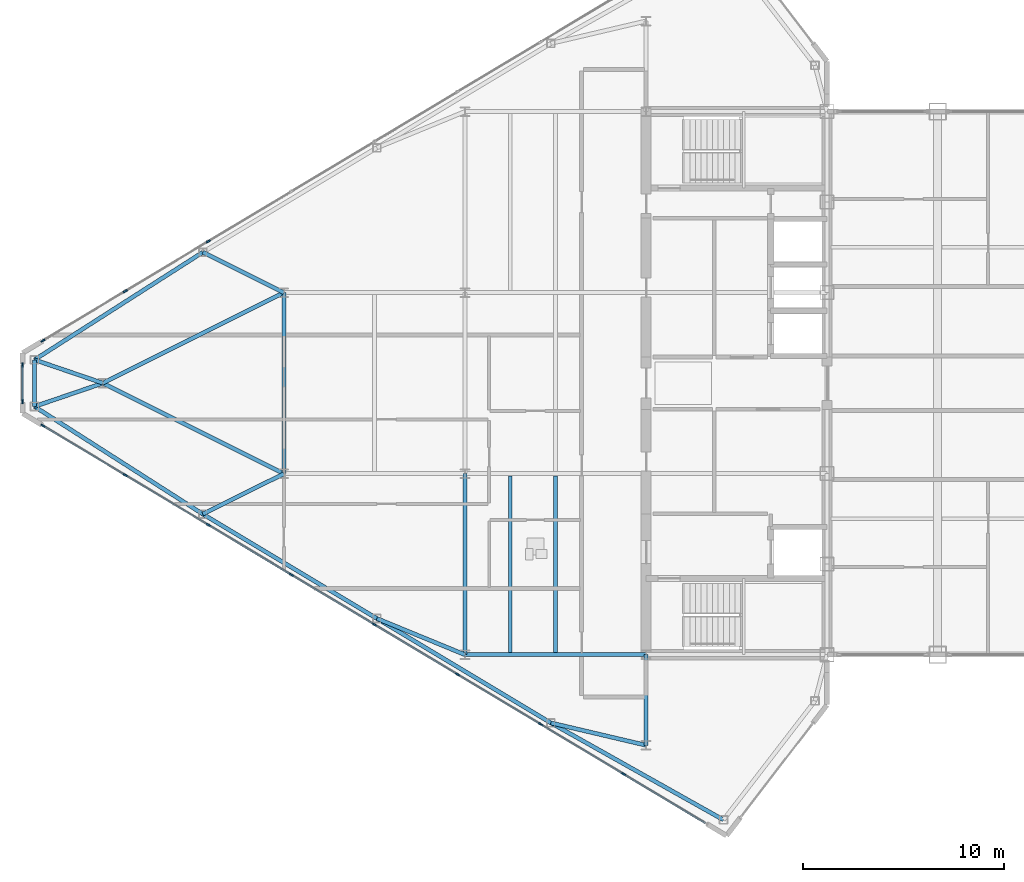
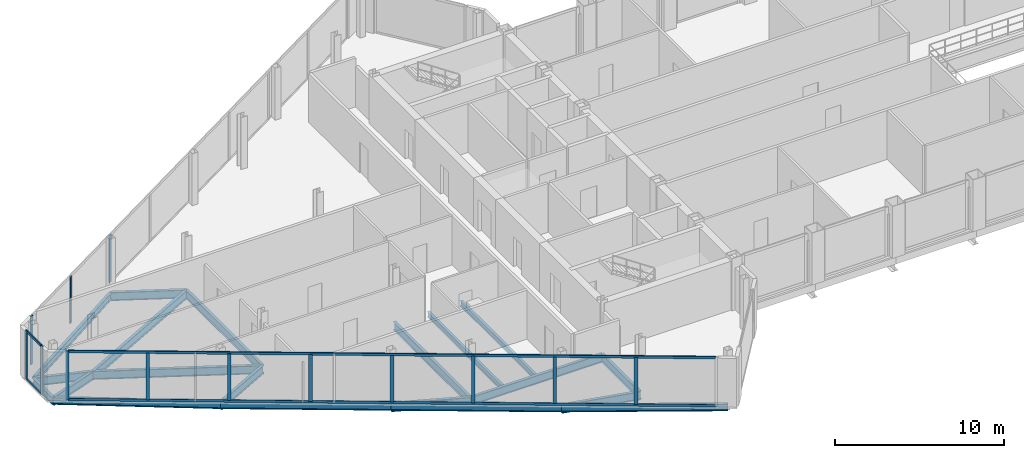
# One storey, part 8 of 29: 20 beams, 17 members, 3 elements without a shape of their own.
"""IFC4 building model written with IfcOpenShell, lengths in metres."""

from ifc_helpers import new_model, si_unit, direction, frame, origin, origin_2d, place, context, subcontext, project, spatial, rectangle, i_section, extrude, source, transform, mapped, material, layer, layer_set, material_profile, profile_set, type_object, type_shapes, element, aggregate, save


model = new_model("IFC4")

# Units and contexts
model_context = context("Model", 3, precision=1e-05, world=origin(), true_north=direction((0.0, 1.0)))
body_context = subcontext(model_context, "Body", "Model", "MODEL_VIEW")
ifc_project = project(units=[si_unit("LENGTHUNIT", "METRE"), si_unit("AREAUNIT", "SQUARE_METRE"), si_unit("VOLUMEUNIT", "CUBIC_METRE"), si_unit("PLANEANGLEUNIT", "RADIAN"), si_unit("MASSUNIT", "GRAM", prefix="KILO")], contexts=[model_context])

# Site, building, storey
site_placement = place(None, origin())
site = spatial("IfcSite", under=ifc_project, at=site_placement, CompositionType="ELEMENT")
building_placement = place(site_placement, origin())
building = spatial("IfcBuilding", under=site, at=building_placement, Name="Seokmaru Belvedere", CompositionType="ELEMENT")
storey_placement = place(building_placement, frame((0.0, 0.0, 250.64990234375)))
storey = spatial("IfcBuildingStorey", under=building, at=storey_placement, Name="L66", CompositionType="ELEMENT", Elevation=250.64990234375)

# Beams
ifc_material_1 = material(Name="Steel SM355 (355 MPa)", Category="steel")
ifc_material_profile_1 = material_profile(ifc_material_1, i_section(OverallWidth=0.199951171875, OverallDepth=0.60009765625, WebThickness=0.010986328125, FlangeThickness=0.01708984375, at=origin_2d()), Name="H-600x200x11x17")
ifc_profile_set_1 = profile_set([ifc_material_profile_1], Name="Steel SM355 (355 MPa)")
beam_type_1 = type_object("IfcBeamType", Name="Primary Floor Girder H-600", PredefinedType="BEAM", material=ifc_profile_set_1)
shared_shape_1 = source(origin(), body_context, "Body", "SweptSolid", [
    extrude(i_section(OverallWidth=0.199951171875, OverallDepth=0.60009765625, WebThickness=0.010986328125, FlangeThickness=0.01708984375, at=origin_2d()), origin(), (0.0, 0.0, 1.0), 9.0),
])
for number, where, z_axis, x_axis, name in (
    (1, (-45.5, -13.5, -0.52001953125), (0.0, 1.0, 0.0), (-1.0, 0.0, 0.0), "L66 W Interior Grid Girder 1"),
    (2, (-45.5, -13.5, -0.52001953125), (1.0, 0.0, 0.0), (0.0, 1.0, 0.0), "L66 W Wing Primary Girder 1"),
    (3, (-54.5, -4.5, -0.52001953125), (0.0, 1.0, 0.0), (-1.0, 0.0, 0.0), "L66 W Apex Frame Girder"),
):
    element("IfcBeam", number, at=place(storey_placement, frame(where, z_axis=z_axis, x_axis=x_axis)), inside=storey, type_object=beam_type_1, Name=name, PredefinedType="BEAM", context=body_context, shape_type="MappedRepresentation", body=[
        mapped(shared_shape_1, transform((0.0, 0.0, 0.0), scale=1.0)),
    ])
shared_shape_2 = source(origin(), body_context, "Body", "SweptSolid", [
    extrude(i_section(OverallWidth=0.199951171875, OverallDepth=0.60009765625, WebThickness=0.010986328125, FlangeThickness=0.01708984375, at=origin_2d()), origin(), (0.0, 0.0, 1.0), 10.062255859375),
])
for number, where, z_axis, x_axis, name in (
    (4, (-54.5, -4.5, -0.52001953125), (-0.894427191, 0.4472135955, 0.0), (-0.4472135955, -0.894427191, 0.0), "L66 W Apex Converging Girder 1"),
    (5, (-54.5, 4.5, -0.52001953125), (-0.894427191, -0.4472135955, 0.0), (0.4472135955, -0.894427191, 0.0), "L66 W Apex Converging Girder 2"),
):
    element("IfcBeam", number, at=place(storey_placement, frame(where, z_axis=z_axis, x_axis=x_axis)), inside=storey, type_object=beam_type_1, Name=name, PredefinedType="BEAM", context=body_context, shape_type="MappedRepresentation", body=[
        mapped(shared_shape_2, transform((0.0, 0.0, 0.0), scale=1.0)),
    ])
ifc_material_profile_2 = material_profile(ifc_material_1, i_section(OverallWidth=0.18505859375, OverallDepth=0.389892578125, WebThickness=0.008056640625, FlangeThickness=0.011962890625, at=origin_2d()), Name="H-390x185x8x12")
ifc_profile_set_2 = profile_set([ifc_material_profile_2], Name="Steel SM355 (355 MPa)")
beam_type_2 = type_object("IfcBeamType", Name="Secondary Floor Joist H-350", PredefinedType="JOIST", material=ifc_profile_set_2)
shared_shape_3 = source(origin(), body_context, "Body", "SweptSolid", [
    extrude(i_section(OverallWidth=0.18505859375, OverallDepth=0.389892578125, WebThickness=0.008056640625, FlangeThickness=0.011962890625, at=origin_2d()), origin(), (0.0, 0.0, 1.0), 8.7900390625),
])
type_shapes(beam_type_2, [shared_shape_3])
for number, where, z_axis, x_axis, name in (
    (6, (-43.25, -13.39501953125, -0.414794921875), (0.0, 1.0, 0.0), (-1.0, 0.0, 0.0), "L66 W Wing Inner Secondary Joist 1"),
    (7, (-41.0, -13.39501953125, -0.414794921875), (0.0, 1.0, 0.0), (-1.0, 0.0, 0.0), "L66 W Secondary Floor Joist 1"),
):
    element("IfcBeam", number, at=place(storey_placement, frame(where, z_axis=z_axis, x_axis=x_axis)), inside=storey, type_object=beam_type_2, Name=name, PredefinedType="JOIST", context=body_context, shape_type="MappedRepresentation", body=[
        mapped(shared_shape_3, transform((0.0, 0.0, 0.0), scale=1.0)),
    ])
shared_shape_4 = source(origin(), body_context, "Body", "SweptSolid", [
    extrude(i_section(OverallWidth=0.199951171875, OverallDepth=0.60009765625, WebThickness=0.010986328125, FlangeThickness=0.01708984375, at=origin_2d()), origin(), (0.0, 0.0, 1.0), 4.5),
])
beam_1_placement = place(storey_placement, frame((-36.5, -18.0, -0.52001953125), z_axis=(0.0, 1.0, 0.0), x_axis=(-1.0, 0.0, 0.0)))
element("IfcBeam", 8, at=beam_1_placement, inside=storey, type_object=beam_type_1, Name="L66 W Core Shoulder Girder S", PredefinedType="BEAM", context=body_context, shape_type="MappedRepresentation", body=[
    mapped(shared_shape_4, transform((0.0, 0.0, 0.0), scale=1.0)),
])
ifc_material_profile_3 = material_profile(ifc_material_1, i_section(OverallWidth=0.199951171875, OverallDepth=0.5, WebThickness=0.010009765625, FlangeThickness=0.01611328125, at=origin_2d()), Name="H-500x200x10x16")
ifc_profile_set_3 = profile_set([ifc_material_profile_3], Name="Steel SM355 (355 MPa)")
beam_type_3 = type_object("IfcBeamType", Name="Perimeter Spandrel Beam H-500", PredefinedType="SPANDREL", material=ifc_profile_set_3)
shared_shape_5 = source(origin(), body_context, "Body", "SweptSolid", [
    extrude(i_section(OverallWidth=0.199951171875, OverallDepth=0.5, WebThickness=0.010009765625, FlangeThickness=0.01611328125, at=origin_2d()), origin(), (0.0, 0.0, 1.0), 9.842041015625),
])
beam_2_placement = place(storey_placement, frame((-32.649658203125, -21.71044921875, -0.469970703125), z_axis=(-0.871782151818, 0.489893743349, 0.0), x_axis=(-0.489893743349, -0.871782151818, 0.0)))
element("IfcBeam", 9, at=beam_2_placement, inside=storey, type_object=beam_type_3, Name="L66 W Faceted Flank Spandrel S-1", PredefinedType="SPANDREL", context=body_context, shape_type="MappedRepresentation", body=[
    mapped(shared_shape_5, transform((0.0, 0.0, 0.0), scale=1.0)),
])
shared_shape_6 = source(origin(), body_context, "Body", "SweptSolid", [
    extrude(i_section(OverallWidth=0.199951171875, OverallDepth=0.5, WebThickness=0.010009765625, FlangeThickness=0.01611328125, at=origin_2d()), origin(), (0.0, 0.0, 1.0), 10.087646484375),
])
for number, where, z_axis, x_axis, name in (
    (10, (-41.229736328125, -16.888916015625, -0.469970703125), (-0.857499332045, 0.514485078056, 0.0), (-0.514485078056, -0.857499332045, 0.0), "L66 W Faceted Flank Spandrel S-2"),
    (11, (-49.8798828125, -11.698974609375, -0.469970703125), (-0.857488654804, 0.514502873542, 0.0), (-0.514502873542, -0.857488654804, 0.0), "L66 W Faceted Flank Spandrel S-3"),
):
    element("IfcBeam", number, at=place(storey_placement, frame(where, z_axis=z_axis, x_axis=x_axis)), inside=storey, type_object=beam_type_3, Name=name, PredefinedType="SPANDREL", context=body_context, shape_type="MappedRepresentation", body=[
        mapped(shared_shape_6, transform((0.0, 0.0, 0.0), scale=1.0)),
    ])
shared_shape_7 = source(origin(), body_context, "Body", "SweptSolid", [
    extrude(i_section(OverallWidth=0.199951171875, OverallDepth=0.5, WebThickness=0.010009765625, FlangeThickness=0.01611328125, at=origin_2d()), origin(), (0.0, 0.0, 1.0), 9.932861328125),
])
for number, where, z_axis, x_axis, name in (
    (12, (-58.530029296875, -6.5087890625, -0.469970703125), (-0.842651960357, 0.538458609093, 0.0), (-0.538458609093, -0.842651960357, 0.0), "L66 W Faceted Flank Spandrel S-4"),
    (13, (-58.530029296875, 6.5087890625, -0.469970703125), (-0.842651960357, -0.538458609093, 0.0), (0.538458609093, -0.842651960357, 0.0), "L66 W Faceted Flank Spandrel N-4"),
):
    element("IfcBeam", number, at=place(storey_placement, frame(where, z_axis=z_axis, x_axis=x_axis)), inside=storey, type_object=beam_type_3, Name=name, PredefinedType="SPANDREL", context=body_context, shape_type="MappedRepresentation", body=[
        mapped(shared_shape_7, transform((0.0, 0.0, 0.0), scale=1.0)),
    ])
shared_shape_8 = source(origin(), body_context, "Body", "SweptSolid", [
    extrude(i_section(OverallWidth=0.199951171875, OverallDepth=0.5, WebThickness=0.010009765625, FlangeThickness=0.01611328125, at=origin_2d()), origin(), (0.0, 0.0, 1.0), 2.32080078125),
])
type_shapes(beam_type_3, [shared_shape_5, shared_shape_6, shared_shape_7, shared_shape_8])
beam_3_placement = place(storey_placement, frame((-66.89990234375, -1.160400390625, -0.469970703125), z_axis=(0.0, 1.0, 0.0), x_axis=(-1.0, 0.0, 0.0)))
element("IfcBeam", 14, at=beam_3_placement, inside=storey, type_object=beam_type_3, Name="L66 W Faceted Apex Spandrel", PredefinedType="SPANDREL", context=body_context, shape_type="MappedRepresentation", body=[
    mapped(shared_shape_8, transform((0.0, 0.0, 0.0), scale=1.0)),
])
shared_shape_9 = source(origin(), body_context, "Body", "SweptSolid", [
    extrude(i_section(OverallWidth=0.199951171875, OverallDepth=0.60009765625, WebThickness=0.010986328125, FlangeThickness=0.01708984375, at=origin_2d()), origin(), (0.0, 0.0, 1.0), 4.8583984375),
])
beam_4_placement = place(storey_placement, frame((-41.229736328125, -16.888916015625, -0.52001953125), z_axis=(0.97349948295, -0.228689214211, 0.0), x_axis=(0.228689214211, 0.97349948295, 0.0)))
element("IfcBeam", 15, at=beam_4_placement, inside=storey, type_object=beam_type_1, Name="L66 W Flank Radial Floor Girder S-1", PredefinedType="BEAM", context=body_context, shape_type="MappedRepresentation", body=[
    mapped(shared_shape_9, transform((0.0, 0.0, 0.0), scale=1.0)),
])
shared_shape_10 = source(origin(), body_context, "Body", "SweptSolid", [
    extrude(i_section(OverallWidth=0.199951171875, OverallDepth=0.60009765625, WebThickness=0.010986328125, FlangeThickness=0.01708984375, at=origin_2d()), origin(), (0.0, 0.0, 1.0), 4.73583984375),
])
beam_5_placement = place(storey_placement, frame((-49.8798828125, -11.698974609375, -0.52001953125), z_axis=(0.924860562953, -0.380306375301, 0.0), x_axis=(0.380306375301, 0.924860562953, 0.0)))
element("IfcBeam", 16, at=beam_5_placement, inside=storey, type_object=beam_type_1, Name="L66 W Flank Radial Floor Girder S-2", PredefinedType="BEAM", context=body_context, shape_type="MappedRepresentation", body=[
    mapped(shared_shape_10, transform((0.0, 0.0, 0.0), scale=1.0)),
])
shared_shape_11 = source(origin(), body_context, "Body", "SweptSolid", [
    extrude(i_section(OverallWidth=0.199951171875, OverallDepth=0.60009765625, WebThickness=0.010986328125, FlangeThickness=0.01708984375, at=origin_2d()), origin(), (0.0, 0.0, 1.0), 4.5029296875),
])
for number, where, z_axis, x_axis, name in (
    (17, (-58.530029296875, -6.5087890625, -0.52001953125), (0.894979532585, 0.446107202648, 0.0), (-0.446107202648, 0.894979532585, 0.0), "L66 W Flank Radial Floor Girder S-3"),
    (18, (-58.530029296875, 6.5087890625, -0.52001953125), (0.894979532585, -0.446107202648, 0.0), (0.446107202648, 0.894979532585, 0.0), "L66 W Flank Radial Floor Girder N-3"),
):
    element("IfcBeam", number, at=place(storey_placement, frame(where, z_axis=z_axis, x_axis=x_axis)), inside=storey, type_object=beam_type_1, Name=name, PredefinedType="BEAM", context=body_context, shape_type="MappedRepresentation", body=[
        mapped(shared_shape_11, transform((0.0, 0.0, 0.0), scale=1.0)),
    ])
shared_shape_12 = source(origin(), body_context, "Body", "SweptSolid", [
    extrude(i_section(OverallWidth=0.199951171875, OverallDepth=0.60009765625, WebThickness=0.010986328125, FlangeThickness=0.01708984375, at=origin_2d()), origin(), (0.0, 0.0, 1.0), 3.592529296875),
])
type_shapes(beam_type_1, [shared_shape_1, shared_shape_2, shared_shape_4, shared_shape_9, shared_shape_10, shared_shape_11, shared_shape_12])
for number, where, z_axis, x_axis, name in (
    (19, (-66.89990234375, -1.160400390625, -0.52001953125), (0.946395973048, 0.323008764893, 0.0), (-0.323008764893, 0.946395973048, 0.0), "L66 W Apex Radial Floor Girder 1"),
    (20, (-66.89990234375, 1.160400390625, -0.52001953125), (0.946395973048, -0.323008764893, 0.0), (0.323008764893, 0.946395973048, 0.0), "L66 W Apex Radial Floor Girder 2"),
):
    element("IfcBeam", number, at=place(storey_placement, frame(where, z_axis=z_axis, x_axis=x_axis)), inside=storey, type_object=beam_type_1, Name=name, PredefinedType="BEAM", context=body_context, shape_type="MappedRepresentation", body=[
        mapped(shared_shape_12, transform((0.0, 0.0, 0.0), scale=1.0)),
    ])

# Curtain wall, members
ifc_material_2 = material(Name="Bronze Triple Insulating Glass", Category="glass")
ifc_layer = layer(ifc_material_2, 0.219970703125)
ifc_layer_set = layer_set([ifc_layer], Name="Bronze Triple Insulating Glass")
curtain_wall_type = type_object("IfcCurtainWallType", Name="Sky-Gate Bridge Panorama Curtain Wall System CW-6", PredefinedType="NOTDEFINED", material=ifc_layer_set)
curtain_wall_1_placement = place(storey_placement, origin())
curtain_wall_1 = element("IfcCurtainWall", 21, at=curtain_wall_1_placement, inside=storey, type_object=curtain_wall_type, Name="L66 Curtain Wall WF5", PredefinedType="NOTDEFINED")
ifc_material_3 = material(Name="Anodised Bronze Aluminium", Category="aluminium")
ifc_material_profile_4 = material_profile(ifc_material_3, rectangle(XDim=0.074951171875, YDim=0.179931640625, at=origin_2d()), Name="CW-T-75x180")
ifc_profile_set_4 = profile_set([ifc_material_profile_4], Name="Anodised Bronze Aluminium")
member_type_1 = type_object("IfcMemberType", Name="Bronze Unitised Transom 75x180", PredefinedType="USERDEFINED", material=ifc_profile_set_4)
shared_shape_13 = source(origin(), body_context, "Body", "SweptSolid", [
    extrude(rectangle(XDim=0.074951171875, YDim=0.179931640625, at=origin_2d()), origin(), (0.0, 0.0, 1.0), 38.356689453125),
])
member_1_placement = place(storey_placement, frame((-66.4453125, -2.1328125, 0.03759765625), z_axis=(0.857492925713, -0.514495755428, 0.0), x_axis=(0.514495755428, 0.857492925713, 0.0)))
member_1 = element("IfcMember", 22, at=member_1_placement, type_object=member_type_1, Name="CW:L66:WF5 Continuous Transom 1", ObjectType="TRANSOM", PredefinedType="USERDEFINED", context=body_context, shape_type="MappedRepresentation", body=[
    mapped(shared_shape_13, transform((0.0, 0.0, 0.0), scale=1.0)),
])
member_2_placement = place(storey_placement, frame((-66.4453125, -2.1328125, 3.49267578125), z_axis=(0.857492925713, -0.514495755428, 0.0), x_axis=(0.514495755428, 0.857492925713, 0.0)))
member_2 = element("IfcMember", 23, at=member_2_placement, type_object=member_type_1, Name="CW:L66:WF5 Continuous Transom 2", ObjectType="TRANSOM", PredefinedType="USERDEFINED", context=body_context, shape_type="MappedRepresentation", body=[
    mapped(shared_shape_13, transform((0.0, 0.0, 0.0), scale=1.0)),
])

curtain_wall_2_placement = place(storey_placement, origin())
curtain_wall_2 = element("IfcCurtainWall", 24, at=curtain_wall_2_placement, inside=storey, type_object=curtain_wall_type, Name="L66 Curtain Wall WF4", PredefinedType="NOTDEFINED")
shared_shape_14 = source(origin(), body_context, "Body", "SweptSolid", [
    extrude(rectangle(XDim=0.074951171875, YDim=0.179931640625, at=origin_2d()), origin(), (0.0, 0.0, 1.0), 1.740234375),
])
type_shapes(member_type_1, [shared_shape_13, shared_shape_14])
member_3_placement = place(storey_placement, frame((-67.5, 0.8701171875, 0.03759765625), z_axis=(0.0, -1.0, 0.0), x_axis=(1.0, 0.0, 0.0)))
member_3 = element("IfcMember", 25, at=member_3_placement, type_object=member_type_1, Name="CW:L66:WF4 Continuous Transom 1", ObjectType="TRANSOM", PredefinedType="USERDEFINED", context=body_context, shape_type="MappedRepresentation", body=[
    mapped(shared_shape_14, transform((0.0, 0.0, 0.0), scale=1.0)),
])
member_4_placement = place(storey_placement, frame((-67.5, 0.8701171875, 3.49267578125), z_axis=(0.0, -1.0, 0.0), x_axis=(1.0, 0.0, 0.0)))
member_4 = element("IfcMember", 26, at=member_4_placement, type_object=member_type_1, Name="CW:L66:WF4 Continuous Transom 2", ObjectType="TRANSOM", PredefinedType="USERDEFINED", context=body_context, shape_type="MappedRepresentation", body=[
    mapped(shared_shape_14, transform((0.0, 0.0, 0.0), scale=1.0)),
])

# Curtain wall, member
curtain_wall_3_placement = place(storey_placement, origin())
curtain_wall_3 = element("IfcCurtainWall", 27, at=curtain_wall_3_placement, inside=storey, type_object=curtain_wall_type, Name="L66 Curtain Wall WF3", PredefinedType="NOTDEFINED")
ifc_material_profile_5 = material_profile(ifc_material_3, rectangle(XDim=0.080078125, YDim=0.219970703125, at=origin_2d()), Name="CW-M-80x220")
ifc_profile_set_5 = profile_set([ifc_material_profile_5], Name="Anodised Bronze Aluminium")
member_type_2 = type_object("IfcMemberType", Name="Bronze Unitised Mullion 80x220", PredefinedType="MULLION", material=ifc_profile_set_5)
shared_shape_15 = source(origin(), body_context, "Body", "SweptSolid", [
    extrude(rectangle(XDim=0.080078125, YDim=0.219970703125, at=origin_2d()), origin(), (0.0, 0.0, 1.0), 3.530029296875),
])
member_5_placement = place(storey_placement, frame((-66.4794921875, 2.1123046875, 0.0), z_axis=(0.0, 0.0, 1.0), x_axis=(0.514494909364, -0.85749343335, 0.0)))
member_5 = element("IfcMember", 28, at=member_5_placement, type_object=member_type_2, Name="CW:L66:WF3 Mullion 9", PredefinedType="MULLION", context=body_context, shape_type="MappedRepresentation", body=[
    mapped(shared_shape_15, transform((0.0, 0.0, 0.0), scale=1.0)),
])

# Member
member_6_placement = place(storey_placement, frame((-67.5, 0.909912109375, 0.0), z_axis=(0.0, 0.0, 1.0), x_axis=(1.0, 0.0, 0.0)))
member_6 = element("IfcMember", 29, at=member_6_placement, type_object=member_type_2, Name="CW:L66:WF4 Mullion 1", PredefinedType="MULLION", context=body_context, shape_type="MappedRepresentation", body=[
    mapped(shared_shape_15, transform((0.0, 0.0, 0.0), scale=1.0)),
])

member_7_placement = place(storey_placement, frame((-67.5, -0.909912109375, 0.0), z_axis=(0.0, 0.0, 1.0), x_axis=(1.0, 0.0, 0.0)))
member_7 = element("IfcMember", 30, at=member_7_placement, type_object=member_type_2, Name="CW:L66:WF4 Mullion 2", PredefinedType="MULLION", context=body_context, shape_type="MappedRepresentation", body=[
    mapped(shared_shape_15, transform((0.0, 0.0, 0.0), scale=1.0)),
])

aggregate(curtain_wall_2, [member_6, member_7, member_3, member_4])

member_8_placement = place(storey_placement, frame((-66.4794921875, -2.1123046875, 0.0), z_axis=(0.0, 0.0, 1.0), x_axis=(0.514494909364, 0.85749343335, 0.0)))
member_8 = element("IfcMember", 31, at=member_8_placement, type_object=member_type_2, Name="CW:L66:WF5 Mullion 1", PredefinedType="MULLION", context=body_context, shape_type="MappedRepresentation", body=[
    mapped(shared_shape_15, transform((0.0, 0.0, 0.0), scale=1.0)),
])

shared_shape_16 = source(origin(), body_context, "Body", "SweptSolid", [
    extrude(rectangle(XDim=0.080078125, YDim=0.219970703125, at=origin_2d()), origin(), (0.0, 0.0, 1.0), 3.3798828125),
])
type_shapes(member_type_2, [shared_shape_15, shared_shape_16])
member_9_placement = place(storey_placement, frame((-58.257080078125, 7.0458984375, 0.0751953125), z_axis=(0.0, 0.0, 1.0), x_axis=(0.514494909364, -0.85749343335, 0.0)))
member_9 = element("IfcMember", 32, at=member_9_placement, type_object=member_type_2, Name="CW:L66:WF3 Mullion 7", PredefinedType="MULLION", context=body_context, shape_type="MappedRepresentation", body=[
    mapped(shared_shape_16, transform((0.0, 0.0, 0.0), scale=1.0)),
])

member_10_placement = place(storey_placement, frame((-62.385498046875, 4.56884765625, 0.0751953125), z_axis=(0.0, 0.0, 1.0), x_axis=(0.514494909364, -0.85749343335, 0.0)))
member_10 = element("IfcMember", 33, at=member_10_placement, type_object=member_type_2, Name="CW:L66:WF3 Mullion 8", PredefinedType="MULLION", context=body_context, shape_type="MappedRepresentation", body=[
    mapped(shared_shape_16, transform((0.0, 0.0, 0.0), scale=1.0)),
])

aggregate(curtain_wall_3, [member_9, member_10, member_5])

member_11_placement = place(storey_placement, frame((-62.385498046875, -4.56884765625, 0.0751953125), z_axis=(0.0, 0.0, 1.0), x_axis=(0.514494909364, 0.85749343335, 0.0)))
member_11 = element("IfcMember", 34, at=member_11_placement, type_object=member_type_2, Name="CW:L66:WF5 Mullion 2", PredefinedType="MULLION", context=body_context, shape_type="MappedRepresentation", body=[
    mapped(shared_shape_16, transform((0.0, 0.0, 0.0), scale=1.0)),
])

member_12_placement = place(storey_placement, frame((-58.257080078125, -7.0458984375, 0.0751953125), z_axis=(0.0, 0.0, 1.0), x_axis=(0.514494909364, 0.85749343335, 0.0)))
member_12 = element("IfcMember", 35, at=member_12_placement, type_object=member_type_2, Name="CW:L66:WF5 Mullion 3", PredefinedType="MULLION", context=body_context, shape_type="MappedRepresentation", body=[
    mapped(shared_shape_16, transform((0.0, 0.0, 0.0), scale=1.0)),
])

member_13_placement = place(storey_placement, frame((-54.12841796875, -9.52294921875, 0.0751953125), z_axis=(0.0, 0.0, 1.0), x_axis=(0.514494909364, 0.85749343335, 0.0)))
member_13 = element("IfcMember", 36, at=member_13_placement, type_object=member_type_2, Name="CW:L66:WF5 Mullion 4", PredefinedType="MULLION", context=body_context, shape_type="MappedRepresentation", body=[
    mapped(shared_shape_16, transform((0.0, 0.0, 0.0), scale=1.0)),
])

member_14_placement = place(storey_placement, frame((-50.0, -12.0, 0.0751953125), z_axis=(0.0, 0.0, 1.0), x_axis=(0.514494909364, 0.85749343335, 0.0)))
member_14 = element("IfcMember", 37, at=member_14_placement, type_object=member_type_2, Name="CW:L66:WF5 Mullion 5", PredefinedType="MULLION", context=body_context, shape_type="MappedRepresentation", body=[
    mapped(shared_shape_16, transform((0.0, 0.0, 0.0), scale=1.0)),
])

member_15_placement = place(storey_placement, frame((-45.87158203125, -14.47705078125, 0.0751953125), z_axis=(0.0, 0.0, 1.0), x_axis=(0.514494909364, 0.85749343335, 0.0)))
member_15 = element("IfcMember", 38, at=member_15_placement, type_object=member_type_2, Name="CW:L66:WF5 Mullion 6", PredefinedType="MULLION", context=body_context, shape_type="MappedRepresentation", body=[
    mapped(shared_shape_16, transform((0.0, 0.0, 0.0), scale=1.0)),
])

member_16_placement = place(storey_placement, frame((-41.742919921875, -16.9541015625, 0.0751953125), z_axis=(0.0, 0.0, 1.0), x_axis=(0.514494909364, 0.85749343335, 0.0)))
member_16 = element("IfcMember", 39, at=member_16_placement, type_object=member_type_2, Name="CW:L66:WF5 Mullion 7", PredefinedType="MULLION", context=body_context, shape_type="MappedRepresentation", body=[
    mapped(shared_shape_16, transform((0.0, 0.0, 0.0), scale=1.0)),
])

member_17_placement = place(storey_placement, frame((-37.614501953125, -19.43115234375, 0.0751953125), z_axis=(0.0, 0.0, 1.0), x_axis=(0.514494909364, 0.85749343335, 0.0)))
member_17 = element("IfcMember", 40, at=member_17_placement, type_object=member_type_2, Name="CW:L66:WF5 Mullion 8", PredefinedType="MULLION", context=body_context, shape_type="MappedRepresentation", body=[
    mapped(shared_shape_16, transform((0.0, 0.0, 0.0), scale=1.0)),
])

aggregate(curtain_wall_1, [member_8, member_11, member_12, member_13, member_14, member_15, member_16, member_17, member_1, member_2])

save(model, "model.ifc")
